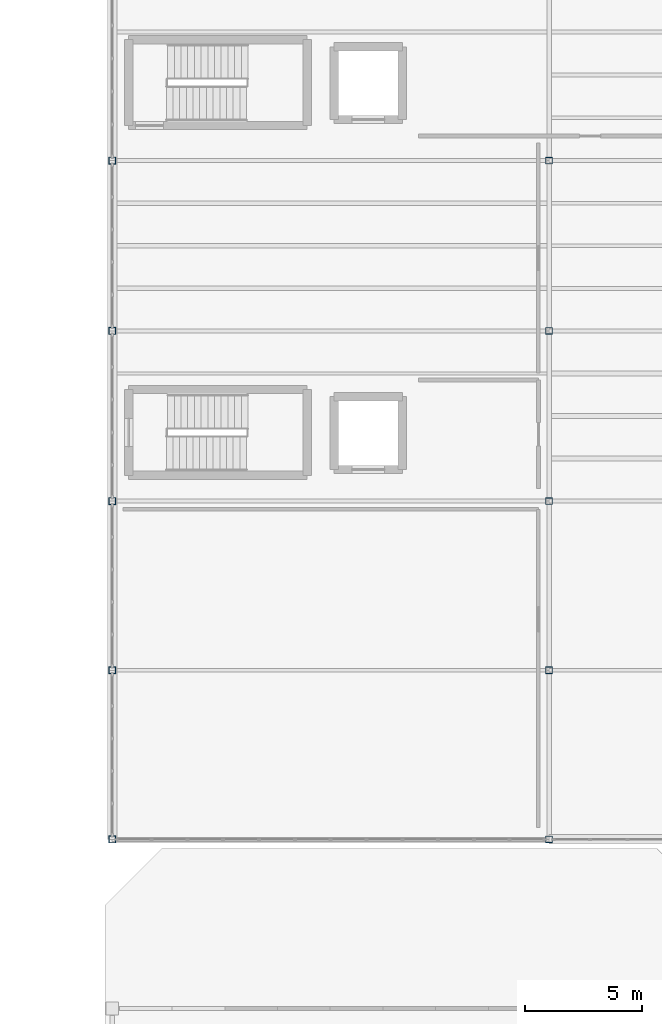
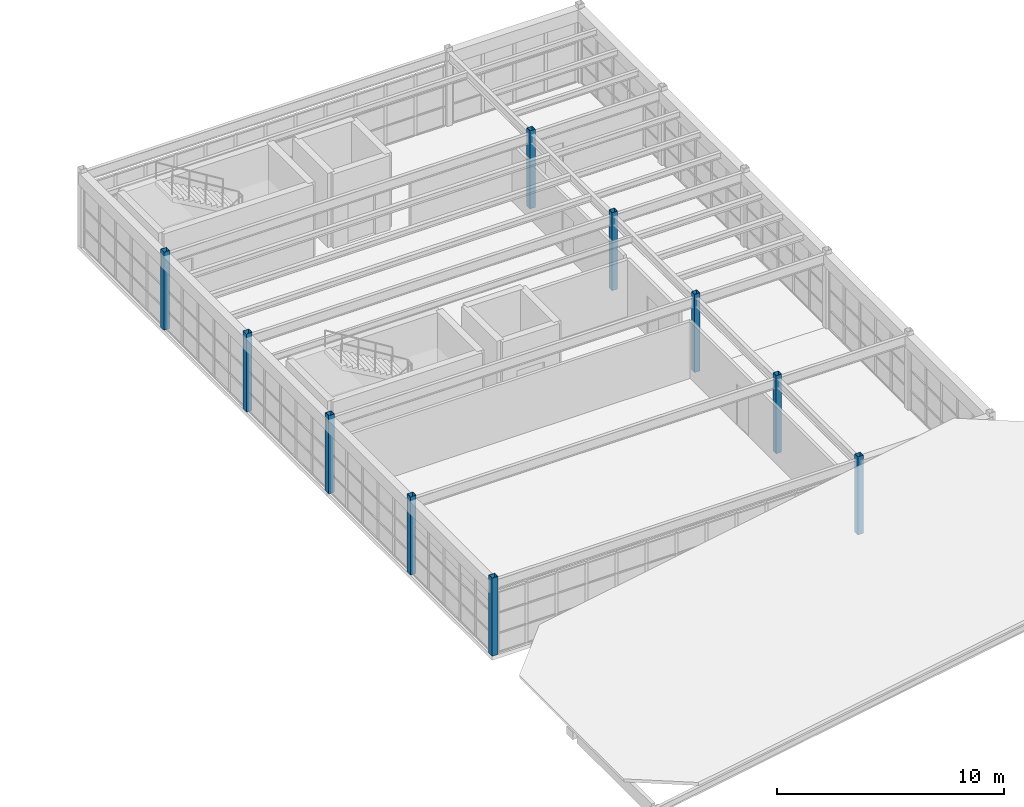
# One storey, part 2 of 52: 10 columns.
"""IFC4 building model written with IfcOpenShell, lengths in metres."""

from ifc_helpers import new_model, si_unit, direction, frame, origin, origin_2d, place, context, subcontext, project, spatial, hollow_rectangle, extrude, material, material_profile, profile_set, type_object, element, save


model = new_model("IFC4")

# Units and contexts
model_context = context("Model", 3, precision=1e-05, world=origin(), true_north=direction((0.0, 1.0)))
body_context = subcontext(model_context, "Body", "Model", "MODEL_VIEW")
ifc_project = project(units=[si_unit("LENGTHUNIT", "METRE"), si_unit("AREAUNIT", "SQUARE_METRE"), si_unit("VOLUMEUNIT", "CUBIC_METRE"), si_unit("PLANEANGLEUNIT", "RADIAN"), si_unit("MASSUNIT", "GRAM", prefix="KILO")], contexts=[model_context])

# Site, building, storey
site_placement = place(None, origin())
site = spatial("IfcSite", under=ifc_project, at=site_placement, CompositionType="ELEMENT")
building_placement = place(site_placement, origin())
building = spatial("IfcBuilding", under=site, at=building_placement, Name="Candilejo Ridge Gondola Terminal", CompositionType="ELEMENT")
storey_placement = place(building_placement, frame((0.0, 0.0, 18.60009765625)))
storey = spatial("IfcBuildingStorey", under=building, at=storey_placement, Name="L04", CompositionType="ELEMENT", Elevation=18.60009765625)

# Columns
ifc_material_1 = material(Name="Steel ASTM A500 Grade C", Category="steel")
ifc_material_profile_1 = material_profile(ifc_material_1, hollow_rectangle(XDim=0.280029296875, YDim=0.280029296875, WallThickness=0.010009765625, at=origin_2d()))
ifc_profile_set_1 = profile_set([ifc_material_profile_1], Name="Steel ASTM A500 Grade C")
column_type_1 = type_object("IfcColumnType", Name="STR-COL-HSS280", PredefinedType="COLUMN", material=ifc_profile_set_1)
for number, where, z_axis, x_axis, name in (
    (1, (168.60009765625, 84.64990234375, 0.0), (0.0, 0.0, 1.0), (1.0, 0.0, 0.0), "Column V5 L04 X25-Y15"),
    (2, (168.60009765625, 91.85009765625, 0.0), (0.0, 0.0, 1.0), (1.0, 0.0, 0.0), "Column V5 L04 X25-Y16"),
    (3, (168.60009765625, 99.050048828125, 0.0), (0.0, 0.0, 1.0), (1.0, 0.0, 0.0), "Column V5 L04 X25-Y17"),
    (4, (168.60009765625, 106.300048828125, 0.0), (0.0, 0.0, 1.0), (1.0, 0.0, 0.0), "Column V5 L04 X25-Y18"),
    (5, (168.60009765625, 113.550048828125, 0.0), (0.0, 0.0, 1.0), (1.0, 0.0, 0.0), "Column V5 L04 X25-Y19"),
):
    element("IfcColumn", number, at=place(storey_placement, frame(where, z_axis=z_axis, x_axis=x_axis)), inside=storey, type_object=column_type_1, Name=name, PredefinedType="COLUMN", context=body_context, shape_type="SweptSolid", body=[
        extrude(hollow_rectangle(XDim=0.280029296875, YDim=0.280029296875, WallThickness=0.010009765625, at=origin_2d()), origin(), (0.0, 0.0, 1.0), 4.199951171875),
    ])
ifc_material_2 = material(Name="Steel ASTM A500 Grade C", Category="steel")
ifc_material_profile_2 = material_profile(ifc_material_2, hollow_rectangle(XDim=0.300048828125, YDim=0.300048828125, WallThickness=0.0126953125, at=origin_2d()))
ifc_profile_set_2 = profile_set([ifc_material_profile_2], Name="Steel ASTM A500 Grade C")
column_type_2 = type_object("IfcColumnType", Name="STR-COL-HSS300", PredefinedType="COLUMN", material=ifc_profile_set_2)
for number, where, z_axis, x_axis, name in (
    (6, (150.0, 84.64990234375, 0.0), (0.0, 0.0, 1.0), (1.0, 0.0, 0.0), "Column V5 L04 X23-Y15"),
    (7, (150.0, 91.85009765625, 0.0), (0.0, 0.0, 1.0), (1.0, 0.0, 0.0), "Column V5 L04 X23-Y16"),
    (8, (150.0, 99.050048828125, 0.0), (0.0, 0.0, 1.0), (1.0, 0.0, 0.0), "Column V5 L04 X23-Y17"),
    (9, (150.0, 106.300048828125, 0.0), (0.0, 0.0, 1.0), (1.0, 0.0, 0.0), "Column V5 L04 X23-Y18"),
    (10, (150.0, 113.550048828125, 0.0), (0.0, 0.0, 1.0), (1.0, 0.0, 0.0), "Column V5 L04 X23-Y19"),
):
    element("IfcColumn", number, at=place(storey_placement, frame(where, z_axis=z_axis, x_axis=x_axis)), inside=storey, type_object=column_type_2, Name=name, PredefinedType="COLUMN", context=body_context, shape_type="SweptSolid", body=[
        extrude(hollow_rectangle(XDim=0.300048828125, YDim=0.300048828125, WallThickness=0.0126953125, at=origin_2d()), origin(), (0.0, 0.0, 1.0), 4.199951171875),
    ])

save(model, "model.ifc")
